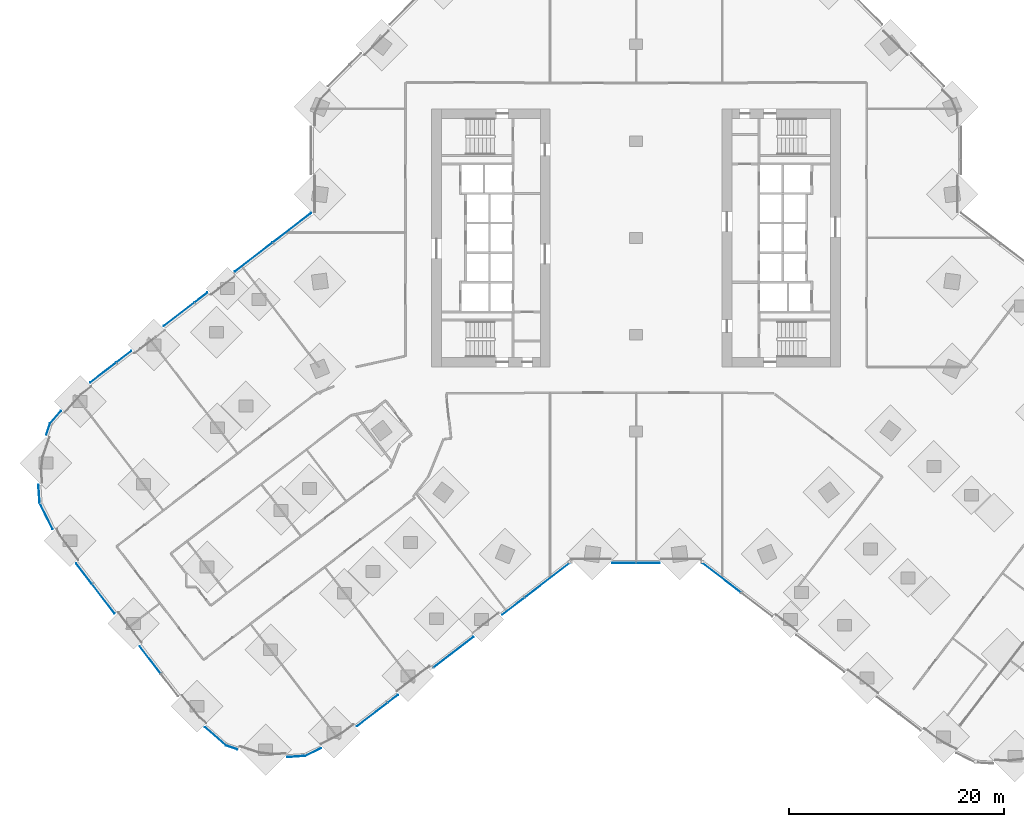
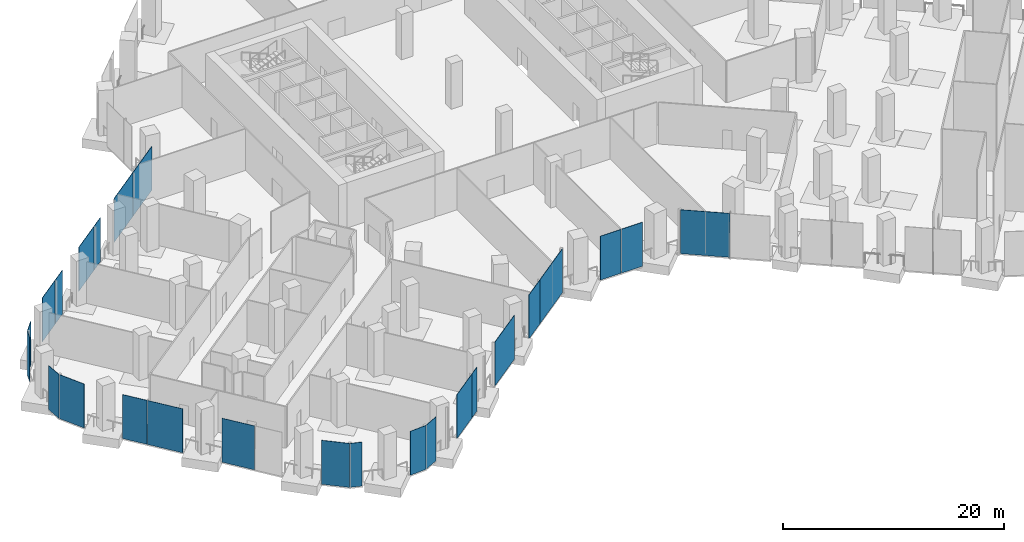
# One storey, part 13 of 27: 25 plates, 13 elements without a shape of their own.
"""IFC4 building model written with IfcOpenShell, lengths in metres."""

from ifc_helpers import new_model, si_unit, direction, frame, origin, origin_2d, place, context, subcontext, project, spatial, rectangle, extrude, material, layer, layer_set, type_object, element, aggregate, save


model = new_model("IFC4")

# Units and contexts
model_context = context("Model", 3, precision=1e-05, world=origin(), true_north=direction((0.0, 1.0)))
body_context = subcontext(model_context, "Body", "Model", "MODEL_VIEW")
ifc_project = project(units=[si_unit("LENGTHUNIT", "METRE"), si_unit("AREAUNIT", "SQUARE_METRE"), si_unit("VOLUMEUNIT", "CUBIC_METRE"), si_unit("PLANEANGLEUNIT", "RADIAN"), si_unit("MASSUNIT", "GRAM", prefix="KILO")], contexts=[model_context])

# Site, building, storey
site_placement = place(None, origin())
site = spatial("IfcSite", under=ifc_project, at=site_placement, CompositionType="ELEMENT")
building_placement = place(site_placement, origin())
building = spatial("IfcBuilding", under=site, at=building_placement, Name="Orlundy Tower", CompositionType="ELEMENT")
storey_placement = place(building_placement, frame((0.0, 0.0, 10.5)))
storey = spatial("IfcBuildingStorey", under=building, at=storey_placement, Name="L01", CompositionType="ELEMENT", Elevation=10.5)

# Curtain wall, plate
ifc_material_1 = material(Name="Aluminium bronze anodised", Category="aluminium")
curtain_wall_type = type_object("IfcCurtainWallType", Name="CW2 wall", PredefinedType="NOTDEFINED", material=ifc_material_1)
curtain_wall_1_placement = place(storey_placement, origin())
curtain_wall_1 = element("IfcCurtainWall", 1, at=curtain_wall_1_placement, inside=storey, type_object=curtain_wall_type, Name="CW2 run 00", PredefinedType="NOTDEFINED")
ifc_material_2 = material(Name="Tinted glass", Category="glass")
ifc_layer = layer(ifc_material_2, 0.0380859375)
ifc_layer_set = layer_set([ifc_layer], Name="CW2 glass panel 38")
plate_type = type_object("IfcPlateType", Name="CW2 glass panel 38", PredefinedType="CURTAIN_PANEL", material=ifc_layer_set)
plate_1_placement = place(storey_placement, frame((7.96044921875, -31.609130859375, -0.25), z_axis=(0.0, 0.0, 1.0), x_axis=(-0.793356622022, 0.60875715215, 0.0)))
plate_1 = element("IfcPlate", 2, at=plate_1_placement, type_object=plate_type, Name="CW2 panel", PredefinedType="CURTAIN_PANEL", context=body_context, shape_type="SweptSolid", body=[
    extrude(rectangle(XDim=4.52734375, YDim=0.0380859375, at=origin_2d()), origin(), (0.0, 0.0, 1.0), 4.85009765625),
])
aggregate(curtain_wall_1, [plate_1])

# Curtain wall, plates
curtain_wall_2_placement = place(storey_placement, origin())
curtain_wall_2 = element("IfcCurtainWall", 3, at=curtain_wall_2_placement, inside=storey, type_object=curtain_wall_type, Name="CW2 run 01", PredefinedType="NOTDEFINED")
plate_2_placement = place(storey_placement, frame((1.114013671875, -30.23095703125, -0.25), z_axis=(0.0, 0.0, 1.0), x_axis=(-1.0, 0.0, 0.0)))
plate_2 = element("IfcPlate", 4, at=plate_2_placement, type_object=plate_type, Name="CW2 panel", PredefinedType="CURTAIN_PANEL", context=body_context, shape_type="SweptSolid", body=[
    extrude(rectangle(XDim=2.177978515625, YDim=0.0380859375, at=origin_2d()), origin(), (0.0, 0.0, 1.0), 4.85009765625),
])
plate_3_placement = place(storey_placement, frame((-1.114013671875, -30.23095703125, -0.25), z_axis=(0.0, 0.0, 1.0), x_axis=(-1.0, 0.0, 0.0)))
plate_3 = element("IfcPlate", 5, at=plate_3_placement, type_object=plate_type, Name="CW2 panel", PredefinedType="CURTAIN_PANEL", context=body_context, shape_type="SweptSolid", body=[
    extrude(rectangle(XDim=2.177978515625, YDim=0.0380859375, at=origin_2d()), origin(), (0.0, 0.0, 1.0), 4.85009765625),
])
aggregate(curtain_wall_2, [plate_2, plate_3])

curtain_wall_3_placement = place(storey_placement, origin())
curtain_wall_3 = element("IfcCurtainWall", 6, at=curtain_wall_3_placement, inside=storey, type_object=curtain_wall_type, Name="CW2 run 02", PredefinedType="NOTDEFINED")
plate_4_placement = place(storey_placement, frame((-8.24853515625, -31.830078125, -0.25), z_axis=(0.0, 0.0, 1.0), x_axis=(-0.793352099111, -0.608763046543, 0.0)))
plate_4 = element("IfcPlate", 7, at=plate_4_placement, type_object=plate_type, Name="CW2 panel", PredefinedType="CURTAIN_PANEL", context=body_context, shape_type="SweptSolid", body=[
    extrude(rectangle(XDim=5.25341796875, YDim=0.0380859375, at=origin_2d()), origin(), (0.0, 0.0, 1.0), 4.85009765625),
])
plate_5_placement = place(storey_placement, frame((-11.40478515625, -34.251953125, -0.25), z_axis=(0.0, 0.0, 1.0), x_axis=(-0.793352099111, -0.608763046543, 0.0)))
plate_5 = element("IfcPlate", 8, at=plate_5_placement, type_object=plate_type, Name="CW2 panel", PredefinedType="CURTAIN_PANEL", context=body_context, shape_type="SweptSolid", body=[
    extrude(rectangle(XDim=2.603759765625, YDim=0.0380859375, at=origin_2d()), origin(), (0.0, 0.0, 1.0), 4.85009765625),
])
plate_6_placement = place(storey_placement, frame((-16.97509765625, -38.5263671875, -0.25), z_axis=(0.0, 0.0, 1.0), x_axis=(-0.793352099111, -0.608763046543, 0.0)))
plate_6 = element("IfcPlate", 9, at=plate_6_placement, type_object=plate_type, Name="CW2 panel", PredefinedType="CURTAIN_PANEL", context=body_context, shape_type="SweptSolid", body=[
    extrude(rectangle(XDim=4.680908203125, YDim=0.0380859375, at=origin_2d()), origin(), (0.0, 0.0, 1.0), 4.85009765625),
])
plate_7_placement = place(storey_placement, frame((-22.61474609375, -42.853759765625, -0.25), z_axis=(0.0, 0.0, 1.0), x_axis=(-0.793352099111, -0.608763046543, 0.0)))
plate_7 = element("IfcPlate", 10, at=plate_7_placement, type_object=plate_type, Name="CW2 panel", PredefinedType="CURTAIN_PANEL", context=body_context, shape_type="SweptSolid", body=[
    extrude(rectangle(XDim=1.17724609375, YDim=0.0380859375, at=origin_2d()), origin(), (0.0, 0.0, 1.0), 4.85009765625),
])
plate_8_placement = place(storey_placement, frame((-24.53857421875, -44.329833984375, -0.25), z_axis=(0.0, 0.0, 1.0), x_axis=(-0.793352099111, -0.608763046543, 0.0)))
plate_8 = element("IfcPlate", 11, at=plate_8_placement, type_object=plate_type, Name="CW2 panel", PredefinedType="CURTAIN_PANEL", context=body_context, shape_type="SweptSolid", body=[
    extrude(rectangle(XDim=3.572509765625, YDim=0.0380859375, at=origin_2d()), origin(), (0.0, 0.0, 1.0), 4.85009765625),
])
aggregate(curtain_wall_3, [plate_4, plate_5, plate_6, plate_7, plate_8])

# Curtain wall, plate
curtain_wall_4_placement = place(storey_placement, origin())
curtain_wall_4 = element("IfcCurtainWall", 12, at=curtain_wall_4_placement, inside=storey, type_object=curtain_wall_type, Name="CW2 run 03", PredefinedType="NOTDEFINED")
plate_9_placement = place(storey_placement, frame((-30.025634765625, -47.812255859375, -0.25), z_axis=(0.0, 0.0, 1.0), x_axis=(-0.896841554905, -0.442351924824, 0.0)))
plate_9 = element("IfcPlate", 13, at=plate_9_placement, type_object=plate_type, Name="CW2 panel", PredefinedType="CURTAIN_PANEL", context=body_context, shape_type="SweptSolid", body=[
    extrude(rectangle(XDim=1.62890625, YDim=0.0380859375, at=origin_2d()), origin(), (0.0, 0.0, 1.0), 4.85009765625),
])
aggregate(curtain_wall_4, [plate_9])

curtain_wall_5_placement = place(storey_placement, origin())
curtain_wall_5 = element("IfcCurtainWall", 14, at=curtain_wall_5_placement, inside=storey, type_object=curtain_wall_type, Name="CW2 run 04", PredefinedType="NOTDEFINED")
plate_10_placement = place(storey_placement, frame((-31.598388671875, -48.2275390625, -0.25), z_axis=(0.0, 0.0, 1.0), x_axis=(-0.997866755389, -0.065283523877, 0.0)))
plate_10 = element("IfcPlate", 15, at=plate_10_placement, type_object=plate_type, Name="CW2 panel", PredefinedType="CURTAIN_PANEL", context=body_context, shape_type="SweptSolid", body=[
    extrude(rectangle(XDim=1.688232421875, YDim=0.0380859375, at=origin_2d()), origin(), (0.0, 0.0, 1.0), 4.85009765625),
])
aggregate(curtain_wall_5, [plate_10])

curtain_wall_6_placement = place(storey_placement, origin())
curtain_wall_6 = element("IfcCurtainWall", 16, at=curtain_wall_6_placement, inside=storey, type_object=curtain_wall_type, Name="CW2 run 05", PredefinedType="NOTDEFINED")
plate_11_placement = place(storey_placement, frame((-37.61669921875, -47.37890625, -0.25), z_axis=(0.0, 0.0, 1.0), x_axis=(-0.946969904911, 0.32132226688, 0.0)))
plate_11 = element("IfcPlate", 17, at=plate_11_placement, type_object=plate_type, Name="CW2 panel", PredefinedType="CURTAIN_PANEL", context=body_context, shape_type="SweptSolid", body=[
    extrude(rectangle(XDim=1.113037109375, YDim=0.0380859375, at=origin_2d()), origin(), (0.0, 0.0, 1.0), 4.85009765625),
])
aggregate(curtain_wall_6, [plate_11])

curtain_wall_7_placement = place(storey_placement, origin())
curtain_wall_7 = element("IfcCurtainWall", 18, at=curtain_wall_7_placement, inside=storey, type_object=curtain_wall_type, Name="CW2 run 06", PredefinedType="NOTDEFINED")
plate_12_placement = place(storey_placement, frame((-39.11376953125, -46.349365234375, -0.25), z_axis=(0.0, 0.0, 1.0), x_axis=(-0.751857647447, 0.65932547196, 0.0)))
plate_12 = element("IfcPlate", 19, at=plate_12_placement, type_object=plate_type, Name="CW2 panel", PredefinedType="CURTAIN_PANEL", context=body_context, shape_type="SweptSolid", body=[
    extrude(rectangle(XDim=2.580322265625, YDim=0.0380859375, at=origin_2d()), origin(), (0.0, 0.0, 1.0), 4.85009765625),
])
aggregate(curtain_wall_7, [plate_12])

# Curtain wall, plates
curtain_wall_8_placement = place(storey_placement, origin())
curtain_wall_8 = element("IfcCurtainWall", 20, at=curtain_wall_8_placement, inside=storey, type_object=curtain_wall_type, Name="CW2 run 07", PredefinedType="NOTDEFINED")
plate_13_placement = place(storey_placement, frame((-45.181396484375, -39.23828125, -0.25), z_axis=(0.0, 0.0, 1.0), x_axis=(-0.608748393046, 0.793363342967, 0.0)))
plate_13 = element("IfcPlate", 21, at=plate_13_placement, type_object=plate_type, Name="CW2 panel", PredefinedType="CURTAIN_PANEL", context=body_context, shape_type="SweptSolid", body=[
    extrude(rectangle(XDim=3.199462890625, YDim=0.0380859375, at=origin_2d()), origin(), (0.0, 0.0, 1.0), 4.85009765625),
])
plate_14_placement = place(storey_placement, frame((-49.52880859375, -33.572509765625, -0.25), z_axis=(0.0, 0.0, 1.0), x_axis=(-0.608748393046, 0.793363342967, 0.0)))
plate_14 = element("IfcPlate", 22, at=plate_14_placement, type_object=plate_type, Name="CW2 panel", PredefinedType="CURTAIN_PANEL", context=body_context, shape_type="SweptSolid", body=[
    extrude(rectangle(XDim=3.41796875, YDim=0.0380859375, at=origin_2d()), origin(), (0.0, 0.0, 1.0), 4.85009765625),
])
plate_15_placement = place(storey_placement, frame((-51.329345703125, -31.225830078125, -0.25), z_axis=(0.0, 0.0, 1.0), x_axis=(-0.608748393046, 0.793363342967, 0.0)))
plate_15 = element("IfcPlate", 23, at=plate_15_placement, type_object=plate_type, Name="CW2 panel", PredefinedType="CURTAIN_PANEL", context=body_context, shape_type="SweptSolid", body=[
    extrude(rectangle(XDim=2.398193359375, YDim=0.0380859375, at=origin_2d()), origin(), (0.0, 0.0, 1.0), 4.85009765625),
])
aggregate(curtain_wall_8, [plate_13, plate_14, plate_15])

# Curtain wall, plate
curtain_wall_9_placement = place(storey_placement, origin())
curtain_wall_9 = element("IfcCurtainWall", 24, at=curtain_wall_9_placement, inside=storey, type_object=curtain_wall_type, Name="CW2 run 08", PredefinedType="NOTDEFINED")
plate_16_placement = place(storey_placement, frame((-54.8564453125, -25.859130859375, -0.25), z_axis=(0.0, 0.0, 1.0), x_axis=(-0.442241939743, 0.896895794801, 0.0)))
plate_16 = element("IfcPlate", 25, at=plate_16_placement, type_object=plate_type, Name="CW2 panel", PredefinedType="CURTAIN_PANEL", context=body_context, shape_type="SweptSolid", body=[
    extrude(rectangle(XDim=2.745361328125, YDim=0.0380859375, at=origin_2d()), origin(), (0.0, 0.0, 1.0), 4.85009765625),
])
aggregate(curtain_wall_9, [plate_16])

curtain_wall_10_placement = place(storey_placement, origin())
curtain_wall_10 = element("IfcCurtainWall", 26, at=curtain_wall_10_placement, inside=storey, type_object=curtain_wall_type, Name="CW2 run 09", PredefinedType="NOTDEFINED")
plate_17_placement = place(storey_placement, frame((-55.5185546875, -23.78564453125, -0.25), z_axis=(0.0, 0.0, 1.0), x_axis=(-0.065283523877, 0.997866755389, 0.0)))
plate_17 = element("IfcPlate", 27, at=plate_17_placement, type_object=plate_type, Name="CW2 panel", PredefinedType="CURTAIN_PANEL", context=body_context, shape_type="SweptSolid", body=[
    extrude(rectangle(XDim=1.688232421875, YDim=0.0380859375, at=origin_2d()), origin(), (0.0, 0.0, 1.0), 4.85009765625),
])
aggregate(curtain_wall_10, [plate_17])

curtain_wall_11_placement = place(storey_placement, origin())
curtain_wall_11 = element("IfcCurtainWall", 28, at=curtain_wall_11_placement, inside=storey, type_object=curtain_wall_type, Name="CW2 run 010", PredefinedType="NOTDEFINED")
plate_18_placement = place(storey_placement, frame((-54.669921875, -17.767333984375, -0.25), z_axis=(0.0, 0.0, 1.0), x_axis=(0.32132226688, 0.946969904911, 0.0)))
plate_18 = element("IfcPlate", 29, at=plate_18_placement, type_object=plate_type, Name="CW2 panel", PredefinedType="CURTAIN_PANEL", context=body_context, shape_type="SweptSolid", body=[
    extrude(rectangle(XDim=1.113037109375, YDim=0.0380859375, at=origin_2d()), origin(), (0.0, 0.0, 1.0), 4.85009765625),
])
aggregate(curtain_wall_11, [plate_18])

curtain_wall_12_placement = place(storey_placement, origin())
curtain_wall_12 = element("IfcCurtainWall", 30, at=curtain_wall_12_placement, inside=storey, type_object=curtain_wall_type, Name="CW2 run 011", PredefinedType="NOTDEFINED")
plate_19_placement = place(storey_placement, frame((-53.98974609375, -16.668701171875, -0.25), z_axis=(0.0, 0.0, 1.0), x_axis=(0.65932547196, 0.751857647447, 0.0)))
plate_19 = element("IfcPlate", 31, at=plate_19_placement, type_object=plate_type, Name="CW2 panel", PredefinedType="CURTAIN_PANEL", context=body_context, shape_type="SweptSolid", body=[
    extrude(rectangle(XDim=1.520263671875, YDim=0.0380859375, at=origin_2d()), origin(), (0.0, 0.0, 1.0), 4.85009765625),
])
aggregate(curtain_wall_12, [plate_19])

# Curtain wall, plates
curtain_wall_13_placement = place(storey_placement, origin())
curtain_wall_13 = element("IfcCurtainWall", 32, at=curtain_wall_13_placement, inside=storey, type_object=curtain_wall_type, Name="CW2 run 012", PredefinedType="NOTDEFINED")
plate_20_placement = place(storey_placement, frame((-49.5625, -12.52978515625, -0.25), z_axis=(0.0, 0.0, 1.0), x_axis=(0.793348488271, 0.608767752232, 0.0)))
plate_20 = element("IfcPlate", 33, at=plate_20_placement, type_object=plate_type, Name="CW2 panel", PredefinedType="CURTAIN_PANEL", context=body_context, shape_type="SweptSolid", body=[
    extrude(rectangle(XDim=3.023681640625, YDim=0.0380859375, at=origin_2d()), origin(), (0.0, 0.0, 1.0), 4.85009765625),
])
plate_21_placement = place(storey_placement, frame((-47.63818359375, -11.053466796875, -0.25), z_axis=(0.0, 0.0, 1.0), x_axis=(0.793348488271, 0.608767752232, 0.0)))
plate_21 = element("IfcPlate", 34, at=plate_21_placement, type_object=plate_type, Name="CW2 panel", PredefinedType="CURTAIN_PANEL", context=body_context, shape_type="SweptSolid", body=[
    extrude(rectangle(XDim=1.726806640625, YDim=0.0380859375, at=origin_2d()), origin(), (0.0, 0.0, 1.0), 4.85009765625),
])
plate_22_placement = place(storey_placement, frame((-42.497314453125, -7.1083984375, -0.25), z_axis=(0.0, 0.0, 1.0), x_axis=(0.793348488271, 0.608767752232, 0.0)))
plate_22 = element("IfcPlate", 35, at=plate_22_placement, type_object=plate_type, Name="CW2 panel", PredefinedType="CURTAIN_PANEL", context=body_context, shape_type="SweptSolid", body=[
    extrude(rectangle(XDim=3.56787109375, YDim=0.0380859375, at=origin_2d()), origin(), (0.0, 0.0, 1.0), 4.85009765625),
])
plate_23_placement = place(storey_placement, frame((-40.453125, -5.539794921875, -0.25), z_axis=(0.0, 0.0, 1.0), x_axis=(0.793348488271, 0.608767752232, 0.0)))
plate_23 = element("IfcPlate", 36, at=plate_23_placement, type_object=plate_type, Name="CW2 panel", PredefinedType="CURTAIN_PANEL", context=body_context, shape_type="SweptSolid", body=[
    extrude(rectangle(XDim=1.4853515625, YDim=0.0380859375, at=origin_2d()), origin(), (0.0, 0.0, 1.0), 4.85009765625),
])
plate_24_placement = place(storey_placement, frame((-35.55224609375, -1.779296875, -0.25), z_axis=(0.0, 0.0, 1.0), x_axis=(0.793348488271, 0.608767752232, 0.0)))
plate_24 = element("IfcPlate", 37, at=plate_24_placement, type_object=plate_type, Name="CW2 panel", PredefinedType="CURTAIN_PANEL", context=body_context, shape_type="SweptSolid", body=[
    extrude(rectangle(XDim=4.41455078125, YDim=0.0380859375, at=origin_2d()), origin(), (0.0, 0.0, 1.0), 4.85009765625),
])
plate_25_placement = place(storey_placement, frame((-31.99609375, 0.949462890625, -0.25), z_axis=(0.0, 0.0, 1.0), x_axis=(0.793348488271, 0.608767752232, 0.0)))
plate_25 = element("IfcPlate", 38, at=plate_25_placement, type_object=plate_type, Name="CW2 panel", PredefinedType="CURTAIN_PANEL", context=body_context, shape_type="SweptSolid", body=[
    extrude(rectangle(XDim=4.449951171875, YDim=0.0380859375, at=origin_2d()), origin(), (0.0, 0.0, 1.0), 4.85009765625),
])
aggregate(curtain_wall_13, [plate_20, plate_21, plate_22, plate_23, plate_24, plate_25])

save(model, "model.ifc")
